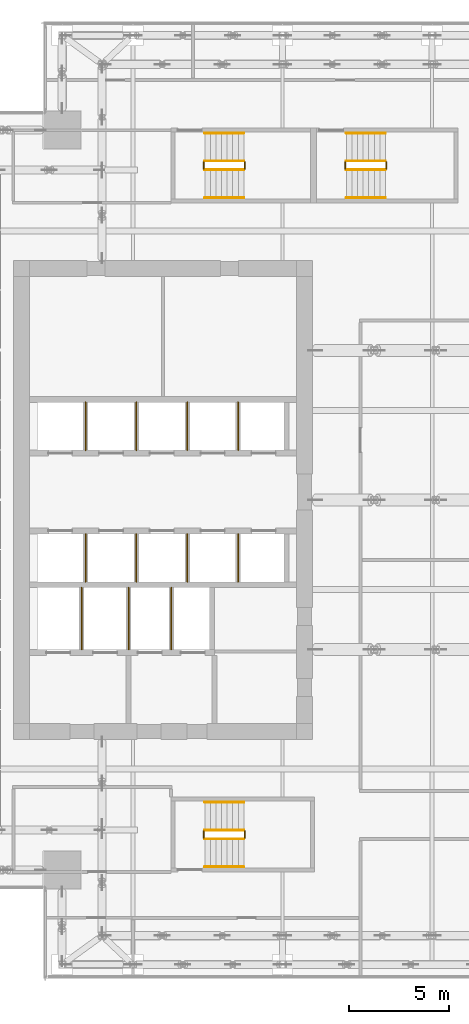
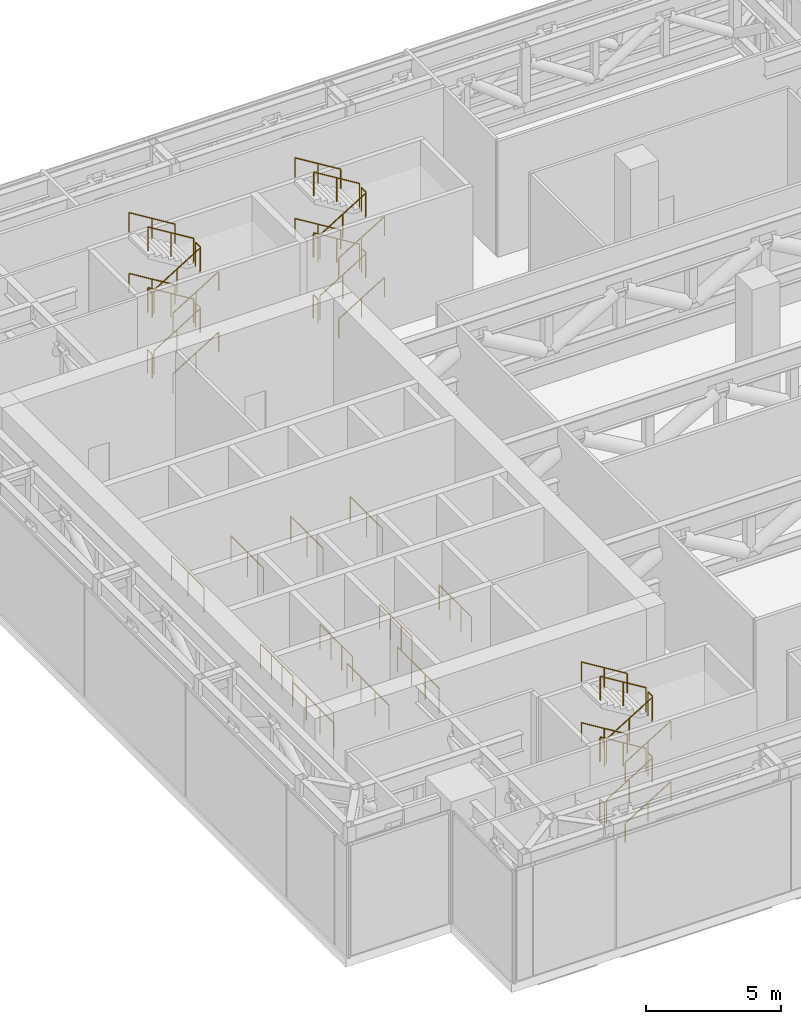
# One storey, part 36 of 36: 47 railings.
"""IFC4 building model written with IfcOpenShell, lengths in metres."""

from ifc_helpers import new_model, si_unit, direction, frame, origin, origin_2d, place, context, subcontext, project, spatial, circle, extrude, source, transform, mapped, material, type_object, element, save


model = new_model("IFC4")

# Units and contexts
model_context = context("Model", 3, precision=1e-05, world=origin(), true_north=direction((0.0, 1.0)))
body_context = subcontext(model_context, "Body", "Model", "MODEL_VIEW")
ifc_project = project(units=[si_unit("LENGTHUNIT", "METRE"), si_unit("AREAUNIT", "SQUARE_METRE"), si_unit("VOLUMEUNIT", "CUBIC_METRE"), si_unit("PLANEANGLEUNIT", "RADIAN"), si_unit("MASSUNIT", "GRAM", prefix="KILO")], contexts=[model_context])

# Site, building, storey
site_placement = place(None, origin())
site = spatial("IfcSite", under=ifc_project, at=site_placement, CompositionType="ELEMENT")
building_placement = place(site_placement, origin())
building = spatial("IfcBuilding", under=site, at=building_placement, Name="Khomas Fold Tower", CompositionType="ELEMENT")
storey_placement = place(building_placement, frame((0.0, 0.0, 216.699951171875)))
storey = spatial("IfcBuildingStorey", under=building, at=storey_placement, Name="L48", CompositionType="ELEMENT", Elevation=216.699951171875)

# Railings
ifc_material_1 = material(Name="Powder-coated steel", Category="steel")
railing_type_1 = type_object("IfcRailingType", Name="Balcony guard", PredefinedType="GUARDRAIL", material=ifc_material_1)
shared_shape_1 = source(origin(), body_context, "Body", "SweptSolid", [
    extrude(circle(Radius=0.02490234375, at=origin_2d()), frame((0.0, 0.0, 1.125), z_axis=(0.0, 1.0, 0.0), x_axis=(-1.0, 0.0, 0.0)), (0.0, 0.0, 1.0), 3.10009765625),
    extrude(circle(Radius=0.02001953125, at=origin_2d()), origin(), (0.0, 0.0, 1.0), 1.099853515625),
    extrude(circle(Radius=0.02001953125, at=origin_2d()), frame((0.0, 1.033447265625, 0.0)), (0.0, 0.0, 1.0), 1.099853515625),
    extrude(circle(Radius=0.02001953125, at=origin_2d()), frame((0.0, 2.066650390625, 0.0)), (0.0, 0.0, 1.0), 1.099853515625),
    extrude(circle(Radius=0.02001953125, at=origin_2d()), frame((0.0, 3.10009765625, 0.0)), (0.0, 0.0, 1.0), 1.099853515625),
])
for number, where, name in (
    (1, (9.425048828125, 19.5, 0.0), "GUARD 69"),
    (2, (11.77490234375, 19.5, 0.0), "GUARD 69"),
    (3, (13.925048828125, 19.5, 0.0), "GUARD 69"),
):
    element("IfcRailing", number, at=place(storey_placement, frame(where)), inside=storey, type_object=railing_type_1, Name=name, PredefinedType="GUARDRAIL", context=body_context, shape_type="MappedRepresentation", body=[
        mapped(shared_shape_1, transform((0.0, 0.0, 0.0))),
    ])
shared_shape_2 = source(origin(), body_context, "Body", "SweptSolid", [
    extrude(circle(Radius=0.02490234375, at=origin_2d()), frame((0.0, 0.0, 1.125), z_axis=(0.0, 1.0, 0.0), x_axis=(-1.0, 0.0, 0.0)), (0.0, 0.0, 1.0), 2.400146484375),
    extrude(circle(Radius=0.02001953125, at=origin_2d()), origin(), (0.0, 0.0, 1.0), 1.099853515625),
    extrude(circle(Radius=0.02001953125, at=origin_2d()), frame((0.0, 0.800048828125, 0.0)), (0.0, 0.0, 1.0), 1.099853515625),
    extrude(circle(Radius=0.02001953125, at=origin_2d()), frame((0.0, 1.60009765625, 0.0)), (0.0, 0.0, 1.0), 1.099853515625),
    extrude(circle(Radius=0.02001953125, at=origin_2d()), frame((0.0, 2.400146484375, 0.0)), (0.0, 0.0, 1.0), 1.099853515625),
])
for number, where, name in (
    (4, (9.625, 22.89990234375, 0.0), "GUARD 69"),
    (5, (12.175048828125, 22.89990234375, 0.0), "GUARD 69"),
    (6, (14.72509765625, 22.89990234375, 0.0), "GUARD 69"),
    (7, (17.27490234375, 22.89990234375, 0.0), "GUARD 69"),
):
    element("IfcRailing", number, at=place(storey_placement, frame(where)), inside=storey, type_object=railing_type_1, Name=name, PredefinedType="GUARDRAIL", context=body_context, shape_type="MappedRepresentation", body=[
        mapped(shared_shape_2, transform((0.0, 0.0, 0.0))),
    ])
shared_shape_3 = source(origin(), body_context, "Body", "SweptSolid", [
    extrude(circle(Radius=0.02490234375, at=origin_2d()), frame((0.0, 0.0, 1.125), z_axis=(0.0, 1.0, 0.0), x_axis=(-1.0, 0.0, 0.0)), (0.0, 0.0, 1.0), 2.39990234375),
    extrude(circle(Radius=0.02001953125, at=origin_2d()), origin(), (0.0, 0.0, 1.0), 1.099853515625),
    extrude(circle(Radius=0.02001953125, at=origin_2d()), frame((0.0, 1.199951171875, 0.0)), (0.0, 0.0, 1.0), 1.099853515625),
    extrude(circle(Radius=0.02001953125, at=origin_2d()), frame((0.0, 2.39990234375, 0.0)), (0.0, 0.0, 1.0), 1.099853515625),
])
for number, where, name in (
    (8, (9.625, 29.5, 0.0), "GUARD 69"),
    (9, (12.175048828125, 29.5, 0.0), "GUARD 69"),
    (10, (14.72509765625, 29.5, 0.0), "GUARD 69"),
    (11, (17.27490234375, 29.5, 0.0), "GUARD 69"),
):
    element("IfcRailing", number, at=place(storey_placement, frame(where)), inside=storey, type_object=railing_type_1, Name=name, PredefinedType="GUARDRAIL", context=body_context, shape_type="MappedRepresentation", body=[
        mapped(shared_shape_3, transform((0.0, 0.0, 0.0))),
    ])
ifc_material_2 = material(Name="Steel balustrade", Category="steel")
railing_type_2 = type_object("IfcRailingType", Name="Stair guard", PredefinedType="GUARDRAIL", material=ifc_material_2)
shared_shape_4 = source(origin(), body_context, "Body", "SweptSolid", [
    extrude(circle(Radius=0.02392578125, at=origin_2d()), frame((0.0, 0.0, 1.076171875), z_axis=(0.0, 1.0, 0.0), x_axis=(-1.0, 0.0, 0.0)), (0.0, 0.0, 1.0), 0.349853515625),
    extrude(circle(Radius=0.02099609375, at=origin_2d()), origin(), (0.0, 0.0, 1.0), 1.052001953125),
    extrude(circle(Radius=0.02099609375, at=origin_2d()), frame((0.0, 0.349853515625, 0.0)), (0.0, 0.0, 1.0), 1.052001953125),
])
for number, where, name in (
    (12, (17.610107421875, 43.60009765625, 1.375), "L48 ST1 stair guard 2"),
    (13, (15.550048828125, 43.60009765625, 2.75), "L48 ST1 stair guard 4"),
    (14, (17.610107421875, 43.60009765625, 4.125), "L48 ST1 stair guard 6"),
    (15, (15.550048828125, 43.60009765625, 0.0), "L48 ST1 stair guard 8"),
    (16, (17.610107421875, 10.050048828125, 1.375), "L48 ST2 stair guard 2"),
    (17, (15.550048828125, 10.050048828125, 2.75), "L48 ST2 stair guard 4"),
    (18, (17.610107421875, 10.050048828125, 4.125), "L48 ST2 stair guard 6"),
    (19, (15.550048828125, 10.050048828125, 0.0), "L48 ST2 stair guard 8"),
    (20, (24.7099609375, 43.60009765625, 1.375), "L48 ST3 stair guard 2"),
    (21, (22.64990234375, 43.60009765625, 2.75), "L48 ST3 stair guard 4"),
    (22, (24.7099609375, 43.60009765625, 4.125), "L48 ST3 stair guard 6"),
    (23, (22.64990234375, 43.60009765625, 0.0), "L48 ST3 stair guard 8"),
):
    element("IfcRailing", number, at=place(storey_placement, frame(where)), inside=storey, type_object=railing_type_2, Name=name, PredefinedType="GUARDRAIL", context=body_context, shape_type="MappedRepresentation", body=[
        mapped(shared_shape_4, transform((0.0, 0.0, 0.0))),
    ])
shared_shape_5 = source(origin(), body_context, "Body", "SweptSolid", [
    extrude(circle(Radius=0.02392578125, at=origin_2d()), frame((0.0, 0.0, 1.076171875), z_axis=(0.852240978134, 0.0, 0.523149419562), x_axis=(0.0, 1.0, 0.0)), (0.0, 0.0, 1.0), 2.2998046875),
    extrude(circle(Radius=0.02099609375, at=origin_2d()), origin(), (0.0, 0.0, 1.0), 1.052001953125),
    extrude(circle(Radius=0.02099609375, at=origin_2d()), frame((0.97998046875, 0.0, 0.6015625)), (0.0, 0.0, 1.0), 1.052001953125),
    extrude(circle(Radius=0.02099609375, at=origin_2d()), frame((1.9599609375, 0.0, 1.203125)), (0.0, 0.0, 1.0), 1.052001953125),
])
for number, where, name in (
    (24, (15.60009765625, 43.550048828125, 0.171875), "L48 ST1 stair guard 1"),
    (25, (15.60009765625, 43.550048828125, 2.921875), "L48 ST1 stair guard 5"),
    (26, (15.60009765625, 10.0, 0.171875), "L48 ST2 stair guard 1"),
    (27, (15.60009765625, 10.0, 2.921875), "L48 ST2 stair guard 5"),
    (28, (22.699951171875, 43.550048828125, 0.171875), "L48 ST3 stair guard 1"),
    (29, (22.699951171875, 43.550048828125, 2.921875), "L48 ST3 stair guard 5"),
):
    element("IfcRailing", number, at=place(storey_placement, frame(where)), inside=storey, type_object=railing_type_2, Name=name, PredefinedType="GUARDRAIL", context=body_context, shape_type="MappedRepresentation", body=[
        mapped(shared_shape_5, transform((0.0, 0.0, 0.0))),
    ])
shared_shape_6 = source(origin(), body_context, "Body", "SweptSolid", [
    extrude(circle(Radius=0.02392578125, at=origin_2d()), frame((0.0, 0.0, 1.076171875), z_axis=(-0.852240978134, 0.0, 0.523149419562), x_axis=(0.0, -1.0, 0.0)), (0.0, 0.0, 1.0), 2.2998046875),
    extrude(circle(Radius=0.02099609375, at=origin_2d()), origin(), (0.0, 0.0, 1.0), 1.052001953125),
    extrude(circle(Radius=0.02099609375, at=origin_2d()), frame((-0.97998046875, 0.0, 0.6015625)), (0.0, 0.0, 1.0), 1.052001953125),
    extrude(circle(Radius=0.02099609375, at=origin_2d()), frame((-1.9599609375, 0.0, 1.203125)), (0.0, 0.0, 1.0), 1.052001953125),
])
for number, where, name in (
    (30, (17.56005859375, 44.0, 1.546875), "L48 ST1 stair guard 3"),
    (31, (17.56005859375, 44.0, 4.296875), "L48 ST1 stair guard 7"),
    (32, (17.56005859375, 10.449951171875, 1.546875), "L48 ST2 stair guard 3"),
    (33, (17.56005859375, 10.449951171875, 4.296875), "L48 ST2 stair guard 7"),
    (34, (24.659912109375, 44.0, 1.546875), "L48 ST3 stair guard 3"),
    (35, (24.659912109375, 44.0, 4.296875), "L48 ST3 stair guard 7"),
):
    element("IfcRailing", number, at=place(storey_placement, frame(where)), inside=storey, type_object=railing_type_2, Name=name, PredefinedType="GUARDRAIL", context=body_context, shape_type="MappedRepresentation", body=[
        mapped(shared_shape_6, transform((0.0, 0.0, 0.0))),
    ])
ifc_material_3 = material(Name="Steel handrail", Category="steel")
railing_type_3 = type_object("IfcRailingType", Name="Stair handrail", PredefinedType="HANDRAIL", material=ifc_material_3)
shared_shape_7 = source(origin(), body_context, "Body", "SweptSolid", [
    extrude(circle(Radius=0.02392578125, at=origin_2d()), frame((0.0, 0.0, 0.8759765625), z_axis=(0.852240978134, 0.0, 0.523149419562), x_axis=(0.0, 1.0, 0.0)), (0.0, 0.0, 1.0), 2.2998046875),
    extrude(circle(Radius=0.02099609375, at=origin_2d()), origin(), (0.0, 0.0, 1.0), 0.851806640625),
    extrude(circle(Radius=0.02099609375, at=origin_2d()), frame((0.97998046875, 0.0, 0.6015625)), (0.0, 0.0, 1.0), 0.851806640625),
    extrude(circle(Radius=0.02099609375, at=origin_2d()), frame((1.9599609375, 0.0, 1.203125)), (0.0, 0.0, 1.0), 0.851806640625),
])
for number, where, name in (
    (36, (15.60009765625, 42.14990234375, 0.171875), "L48 ST1 stair handrail 1"),
    (37, (15.60009765625, 42.14990234375, 2.921875), "L48 ST1 stair handrail 3"),
    (38, (15.60009765625, 8.60009765625, 0.171875), "L48 ST2 stair handrail 1"),
    (39, (15.60009765625, 8.60009765625, 2.921875), "L48 ST2 stair handrail 3"),
    (40, (22.699951171875, 42.14990234375, 0.171875), "L48 ST3 stair handrail 1"),
    (41, (22.699951171875, 42.14990234375, 2.921875), "L48 ST3 stair handrail 3"),
):
    element("IfcRailing", number, at=place(storey_placement, frame(where)), inside=storey, type_object=railing_type_3, Name=name, PredefinedType="HANDRAIL", context=body_context, shape_type="MappedRepresentation", body=[
        mapped(shared_shape_7, transform((0.0, 0.0, 0.0))),
    ])
shared_shape_8 = source(origin(), body_context, "Body", "SweptSolid", [
    extrude(circle(Radius=0.02392578125, at=origin_2d()), frame((0.0, 0.0, 0.8759765625), z_axis=(-0.852240978134, 0.0, 0.523149419562), x_axis=(0.0, -1.0, 0.0)), (0.0, 0.0, 1.0), 2.2998046875),
    extrude(circle(Radius=0.02099609375, at=origin_2d()), origin(), (0.0, 0.0, 1.0), 0.851806640625),
    extrude(circle(Radius=0.02099609375, at=origin_2d()), frame((-0.97998046875, 0.0, 0.6015625)), (0.0, 0.0, 1.0), 0.851806640625),
    extrude(circle(Radius=0.02099609375, at=origin_2d()), frame((-1.9599609375, 0.0, 1.203125)), (0.0, 0.0, 1.0), 0.851806640625),
])
for number, where, name in (
    (42, (17.56005859375, 45.39990234375, 1.546875), "L48 ST1 stair handrail 2"),
    (43, (17.56005859375, 45.39990234375, 4.296875), "L48 ST1 stair handrail 4"),
    (44, (17.56005859375, 11.85009765625, 1.546875), "L48 ST2 stair handrail 2"),
    (45, (17.56005859375, 11.85009765625, 4.296875), "L48 ST2 stair handrail 4"),
    (46, (24.659912109375, 45.39990234375, 1.546875), "L48 ST3 stair handrail 2"),
    (47, (24.659912109375, 45.39990234375, 4.296875), "L48 ST3 stair handrail 4"),
):
    element("IfcRailing", number, at=place(storey_placement, frame(where)), inside=storey, type_object=railing_type_3, Name=name, PredefinedType="HANDRAIL", context=body_context, shape_type="MappedRepresentation", body=[
        mapped(shared_shape_8, transform((0.0, 0.0, 0.0))),
    ])

save(model, "model.ifc")
